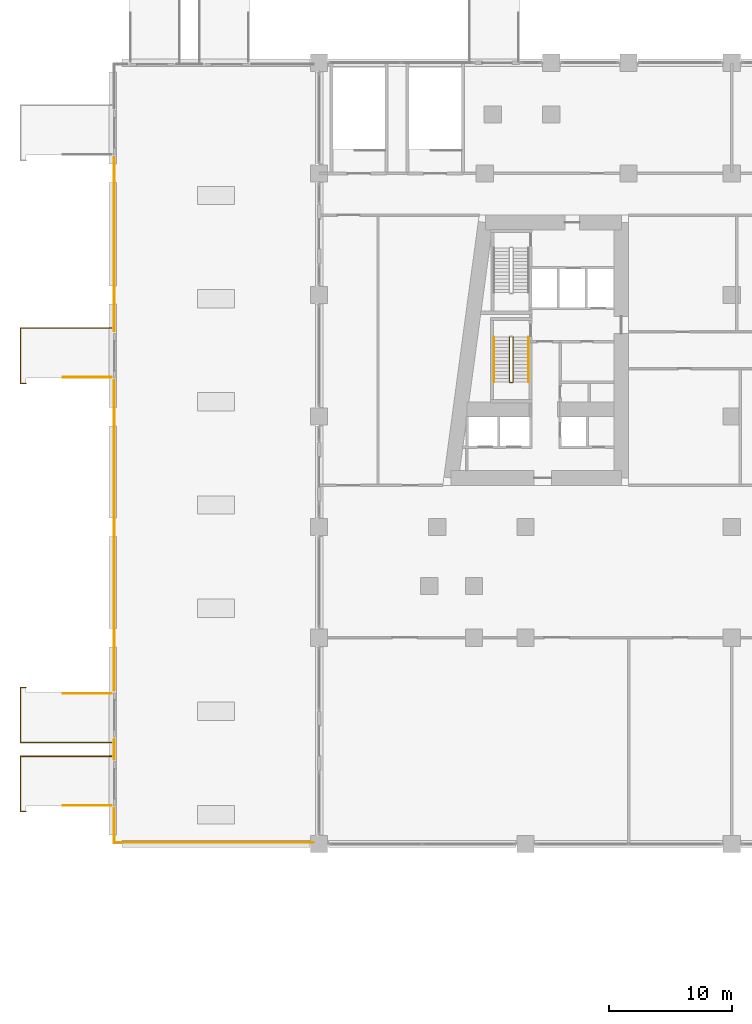
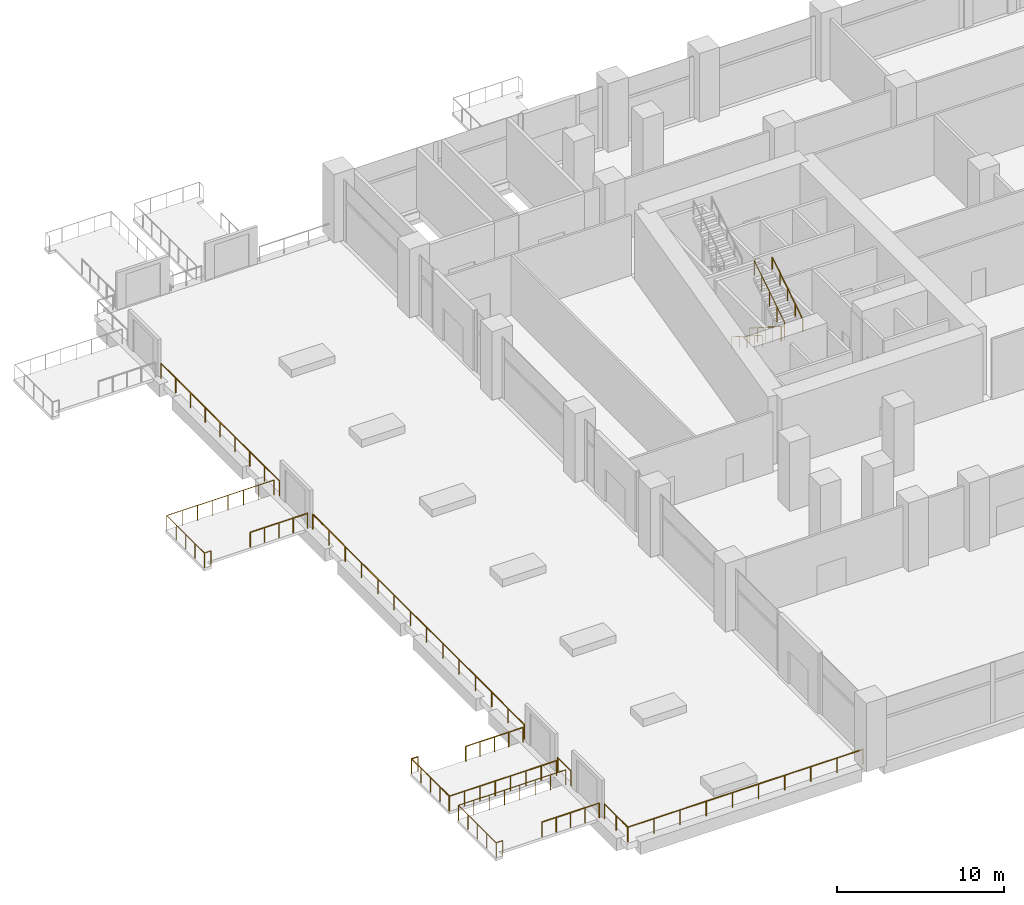
# One storey, part 27 of 33: 14 railings.
"""IFC4 building model written with IfcOpenShell, lengths in metres."""

from ifc_helpers import new_model, si_unit, direction, frame, origin, origin_2d, place, context, subcontext, project, spatial, circle, extrude, material, type_object, element, save


model = new_model("IFC4")

# Units and contexts
model_context = context("Model", 3, precision=1e-05, world=origin(), true_north=direction((0.0, 1.0)))
body_context = subcontext(model_context, "Body", "Model", "MODEL_VIEW")
ifc_project = project(units=[si_unit("LENGTHUNIT", "METRE"), si_unit("AREAUNIT", "SQUARE_METRE"), si_unit("VOLUMEUNIT", "CUBIC_METRE"), si_unit("PLANEANGLEUNIT", "RADIAN"), si_unit("MASSUNIT", "GRAM", prefix="KILO")], contexts=[model_context])

# Site, building, storey
site_placement = place(None, origin())
site = spatial("IfcSite", under=ifc_project, at=site_placement, CompositionType="ELEMENT")
building_placement = place(site_placement, origin())
building = spatial("IfcBuilding", under=site, at=building_placement, Name="Candeia Pilgrim Tower and Theatre", CompositionType="ELEMENT")
storey_placement = place(building_placement, frame((0.0, 0.0, 29.0)))
storey = spatial("IfcBuildingStorey", under=building, at=storey_placement, Name="L04", CompositionType="ELEMENT", Elevation=29.0)

# Railings
ifc_material_1 = material(Name="Stainless steel balustrade", Category="steel")
railing_type_1 = type_object("IfcRailingType", Name="G1 loggia guard 1100", PredefinedType="GUARDRAIL", material=ifc_material_1)
railing_1_placement = place(storey_placement, frame((58.919921875, 81.320068359375, 0.0)))
element("IfcRailing", 1, at=railing_1_placement, inside=storey, type_object=railing_type_1, Name="Terrace guard L04.1", PredefinedType="GUARDRAIL", context=body_context, shape_type="SweptSolid", body=[
    extrude(circle(Radius=0.02392578125, at=origin_2d()), frame((0.0, 0.0, 1.076171875), z_axis=(0.0, 1.0, 0.0), x_axis=(-1.0, 0.0, 0.0)), (0.0, 0.0, 1.0), 2.780029296875),
    extrude(circle(Radius=0.02099609375, at=origin_2d()), origin(), (0.0, 0.0, 1.0), 1.052001953125),
    extrude(circle(Radius=0.02099609375, at=origin_2d()), frame((0.0, 1.39013671875, 0.0)), (0.0, 0.0, 1.0), 1.052001953125),
    extrude(circle(Radius=0.02099609375, at=origin_2d()), frame((0.0, 2.780029296875, 0.0)), (0.0, 0.0, 1.0), 1.052001953125),
])
railing_2_placement = place(storey_placement, frame((58.919921875, 88.10009765625, 0.0)))
element("IfcRailing", 2, at=railing_2_placement, inside=storey, type_object=railing_type_1, Name="Terrace guard L04.2", PredefinedType="GUARDRAIL", context=body_context, shape_type="SweptSolid", body=[
    extrude(circle(Radius=0.02392578125, at=origin_2d()), frame((0.0, 0.0, 1.076171875), z_axis=(0.0, 1.0, 0.0), x_axis=(-1.0, 0.0, 0.0)), (0.0, 0.0, 1.0), 1.599853515625),
    extrude(circle(Radius=0.02099609375, at=origin_2d()), origin(), (0.0, 0.0, 1.0), 1.052001953125),
    extrude(circle(Radius=0.02099609375, at=origin_2d()), frame((0.0, 1.599853515625, 0.0)), (0.0, 0.0, 1.0), 1.052001953125),
])
railing_3_placement = place(storey_placement, frame((58.919921875, 93.699951171875, 0.0)))
element("IfcRailing", 3, at=railing_3_placement, inside=storey, type_object=railing_type_1, Name="Terrace guard L04.3", PredefinedType="GUARDRAIL", context=body_context, shape_type="SweptSolid", body=[
    extrude(circle(Radius=0.02392578125, at=origin_2d()), frame((0.0, 0.0, 1.076171875), z_axis=(0.0, 1.0, 0.0), x_axis=(-1.0, 0.0, 0.0)), (0.0, 0.0, 1.0), 25.25),
    extrude(circle(Radius=0.02099609375, at=origin_2d()), origin(), (0.0, 0.0, 1.0), 1.052001953125),
    extrude(circle(Radius=0.02099609375, at=origin_2d()), frame((0.0, 1.9423828125, 0.0)), (0.0, 0.0, 1.0), 1.052001953125),
    extrude(circle(Radius=0.02099609375, at=origin_2d()), frame((0.0, 3.884521484375, 0.0)), (0.0, 0.0, 1.0), 1.052001953125),
    extrude(circle(Radius=0.02099609375, at=origin_2d()), frame((0.0, 5.826904296875, 0.0)), (0.0, 0.0, 1.0), 1.052001953125),
    extrude(circle(Radius=0.02099609375, at=origin_2d()), frame((0.0, 7.769287109375, 0.0)), (0.0, 0.0, 1.0), 1.052001953125),
    extrude(circle(Radius=0.02099609375, at=origin_2d()), frame((0.0, 9.71142578125, 0.0)), (0.0, 0.0, 1.0), 1.052001953125),
    extrude(circle(Radius=0.02099609375, at=origin_2d()), frame((0.0, 11.65380859375, 0.0)), (0.0, 0.0, 1.0), 1.052001953125),
    extrude(circle(Radius=0.02099609375, at=origin_2d()), frame((0.0, 13.59619140625, 0.0)), (0.0, 0.0, 1.0), 1.052001953125),
    extrude(circle(Radius=0.02099609375, at=origin_2d()), frame((0.0, 15.53857421875, 0.0)), (0.0, 0.0, 1.0), 1.052001953125),
    extrude(circle(Radius=0.02099609375, at=origin_2d()), frame((0.0, 17.480712890625, 0.0)), (0.0, 0.0, 1.0), 1.052001953125),
    extrude(circle(Radius=0.02099609375, at=origin_2d()), frame((0.0, 19.423095703125, 0.0)), (0.0, 0.0, 1.0), 1.052001953125),
    extrude(circle(Radius=0.02099609375, at=origin_2d()), frame((0.0, 21.365478515625, 0.0)), (0.0, 0.0, 1.0), 1.052001953125),
    extrude(circle(Radius=0.02099609375, at=origin_2d()), frame((0.0, 23.3076171875, 0.0)), (0.0, 0.0, 1.0), 1.052001953125),
    extrude(circle(Radius=0.02099609375, at=origin_2d()), frame((0.0, 25.25, 0.0)), (0.0, 0.0, 1.0), 1.052001953125),
])
railing_4_placement = place(storey_placement, frame((58.919921875, 122.949951171875, 0.0)))
element("IfcRailing", 4, at=railing_4_placement, inside=storey, type_object=railing_type_1, Name="Terrace guard L04.4", PredefinedType="GUARDRAIL", context=body_context, shape_type="SweptSolid", body=[
    extrude(circle(Radius=0.02392578125, at=origin_2d()), frame((0.0, 0.0, 1.076171875), z_axis=(0.0, 1.0, 0.0), x_axis=(-1.0, 0.0, 0.0)), (0.0, 0.0, 1.0), 14.150146484375),
    extrude(circle(Radius=0.02099609375, at=origin_2d()), origin(), (0.0, 0.0, 1.0), 1.052001953125),
    extrude(circle(Radius=0.02099609375, at=origin_2d()), frame((0.0, 1.768798828125, 0.0)), (0.0, 0.0, 1.0), 1.052001953125),
    extrude(circle(Radius=0.02099609375, at=origin_2d()), frame((0.0, 3.53759765625, 0.0)), (0.0, 0.0, 1.0), 1.052001953125),
    extrude(circle(Radius=0.02099609375, at=origin_2d()), frame((0.0, 5.306396484375, 0.0)), (0.0, 0.0, 1.0), 1.052001953125),
    extrude(circle(Radius=0.02099609375, at=origin_2d()), frame((0.0, 7.0751953125, 0.0)), (0.0, 0.0, 1.0), 1.052001953125),
    extrude(circle(Radius=0.02099609375, at=origin_2d()), frame((0.0, 8.84375, 0.0)), (0.0, 0.0, 1.0), 1.052001953125),
    extrude(circle(Radius=0.02099609375, at=origin_2d()), frame((0.0, 10.612548828125, 0.0)), (0.0, 0.0, 1.0), 1.052001953125),
    extrude(circle(Radius=0.02099609375, at=origin_2d()), frame((0.0, 12.38134765625, 0.0)), (0.0, 0.0, 1.0), 1.052001953125),
    extrude(circle(Radius=0.02099609375, at=origin_2d()), frame((0.0, 14.150146484375, 0.0)), (0.0, 0.0, 1.0), 1.052001953125),
])
railing_5_placement = place(storey_placement, frame((75.14990234375, 81.320068359375, 0.0)))
element("IfcRailing", 5, at=railing_5_placement, inside=storey, type_object=railing_type_1, Name="Terrace guard L04.8", PredefinedType="GUARDRAIL", context=body_context, shape_type="SweptSolid", body=[
    extrude(circle(Radius=0.02392578125, at=origin_2d()), frame((0.0, 0.0, 1.076171875), z_axis=(-1.0, 0.0, 0.0), x_axis=(0.0, -1.0, 0.0)), (0.0, 0.0, 1.0), 16.22998046875),
    extrude(circle(Radius=0.02099609375, at=origin_2d()), origin(), (0.0, 0.0, 1.0), 1.052001953125),
    extrude(circle(Radius=0.02099609375, at=origin_2d()), frame((-1.80322265625, 0.0, 0.0)), (0.0, 0.0, 1.0), 1.052001953125),
    extrude(circle(Radius=0.02099609375, at=origin_2d()), frame((-3.606689453125, 0.0, 0.0)), (0.0, 0.0, 1.0), 1.052001953125),
    extrude(circle(Radius=0.02099609375, at=origin_2d()), frame((-5.409912109375, 0.0, 0.0)), (0.0, 0.0, 1.0), 1.052001953125),
    extrude(circle(Radius=0.02099609375, at=origin_2d()), frame((-7.21337890625, 0.0, 0.0)), (0.0, 0.0, 1.0), 1.052001953125),
    extrude(circle(Radius=0.02099609375, at=origin_2d()), frame((-9.0166015625, 0.0, 0.0)), (0.0, 0.0, 1.0), 1.052001953125),
    extrude(circle(Radius=0.02099609375, at=origin_2d()), frame((-10.820068359375, 0.0, 0.0)), (0.0, 0.0, 1.0), 1.052001953125),
    extrude(circle(Radius=0.02099609375, at=origin_2d()), frame((-12.623291015625, 0.0, 0.0)), (0.0, 0.0, 1.0), 1.052001953125),
    extrude(circle(Radius=0.02099609375, at=origin_2d()), frame((-14.4267578125, 0.0, 0.0)), (0.0, 0.0, 1.0), 1.052001953125),
    extrude(circle(Radius=0.02099609375, at=origin_2d()), frame((-16.22998046875, 0.0, 0.0)), (0.0, 0.0, 1.0), 1.052001953125),
])
railing_type_2 = type_object("IfcRailingType", Name="RL-GUARD-1100", PredefinedType="GUARDRAIL", material=ifc_material_1)
railing_6_placement = place(storey_placement, frame((91.10205078125, 122.47509765625, 0.178466796875)))
element("IfcRailing", 6, at=railing_6_placement, inside=storey, type_object=railing_type_2, Name="L04 ST1 stair guard 1", PredefinedType="GUARDRAIL", context=body_context, shape_type="SweptSolid", body=[
    extrude(circle(Radius=0.02392578125, at=origin_2d()), frame((0.0, 0.0, 1.076171875), z_axis=(0.0, -0.843127859045, 0.537713132908), x_axis=(1.0, 0.0, 0.0)), (0.0, 0.0, 1.0), 4.3173828125),
    extrude(circle(Radius=0.02392578125, at=origin_2d()), frame((0.0, -3.64013671875, 3.3974609375), z_axis=(0.707106781187, -0.707106781187, 0.0), x_axis=(0.707106781187, 0.707106781187, 0.0)), (0.0, 0.0, 1.0), 0.07080078125),
    extrude(circle(Radius=0.02392578125, at=origin_2d()), frame((0.050048828125, -3.690185546875, 3.3974609375), z_axis=(1.0, 0.0, 0.0), x_axis=(0.0, 1.0, 0.0)), (0.0, 0.0, 1.0), 0.199951171875),
    extrude(circle(Radius=0.02392578125, at=origin_2d()), frame((0.25, -3.690185546875, 3.3974609375), z_axis=(0.260684529273, 0.260684529273, 0.929562882432), x_axis=(-0.707106781187, 0.707106781187, 0.0)), (0.0, 0.0, 1.0), 0.19189453125),
    extrude(circle(Radius=0.02392578125, at=origin_2d()), frame((0.300048828125, -3.64013671875, 3.576171875), z_axis=(0.0, 0.843127859045, 0.537713132908), x_axis=(-1.0, 0.0, 0.0)), (0.0, 0.0, 1.0), 4.3173828125),
    extrude(circle(Radius=0.02099609375, at=origin_2d()), origin(), (0.0, 0.0, 1.0), 1.052001953125),
    extrude(circle(Radius=0.02099609375, at=origin_2d()), frame((0.0, -0.91015625, 0.580322265625)), (0.0, 0.0, 1.0), 1.052001953125),
    extrude(circle(Radius=0.02099609375, at=origin_2d()), frame((0.0, -1.820068359375, 1.16064453125)), (0.0, 0.0, 1.0), 1.052001953125),
    extrude(circle(Radius=0.02099609375, at=origin_2d()), frame((0.0, -2.72998046875, 1.7412109375)), (0.0, 0.0, 1.0), 1.052001953125),
    extrude(circle(Radius=0.02099609375, at=origin_2d()), frame((0.0, -3.64013671875, 2.321533203125)), (0.0, 0.0, 1.0), 1.052001953125),
    extrude(circle(Radius=0.02099609375, at=origin_2d()), frame((0.050048828125, -3.690185546875, 2.321533203125)), (0.0, 0.0, 1.0), 1.052001953125),
    extrude(circle(Radius=0.02099609375, at=origin_2d()), frame((0.25, -3.690185546875, 2.321533203125)), (0.0, 0.0, 1.0), 1.052001953125),
    extrude(circle(Radius=0.02099609375, at=origin_2d()), frame((0.300048828125, -3.64013671875, 2.5)), (0.0, 0.0, 1.0), 1.052001953125),
    extrude(circle(Radius=0.02099609375, at=origin_2d()), frame((0.300048828125, -2.72998046875, 3.080322265625)), (0.0, 0.0, 1.0), 1.052001953125),
    extrude(circle(Radius=0.02099609375, at=origin_2d()), frame((0.300048828125, -1.820068359375, 3.66064453125)), (0.0, 0.0, 1.0), 1.052001953125),
    extrude(circle(Radius=0.02099609375, at=origin_2d()), frame((0.300048828125, -0.91015625, 4.2412109375)), (0.0, 0.0, 1.0), 1.052001953125),
    extrude(circle(Radius=0.02099609375, at=origin_2d()), frame((0.300048828125, 0.0, 4.821533203125)), (0.0, 0.0, 1.0), 1.052001953125),
])
railing_7_placement = place(storey_placement, frame((58.699951171875, 88.35009765625, 0.0)))
element("IfcRailing", 7, at=railing_7_placement, inside=storey, type_object=railing_type_2, Name="L04 External escape stair ES11 landing guard", PredefinedType="GUARDRAIL", context=body_context, shape_type="SweptSolid", body=[
    extrude(circle(Radius=0.02392578125, at=origin_2d()), frame((0.0, 0.0, 1.076171875), z_axis=(-1.0, 0.0, 0.0), x_axis=(0.0, -1.0, 0.0)), (0.0, 0.0, 1.0), 7.39990234375),
    extrude(circle(Radius=0.02392578125, at=origin_2d()), frame((-7.39990234375, 0.0, 1.076171875), z_axis=(0.0, -1.0, 0.0), x_axis=(1.0, 0.0, 0.0)), (0.0, 0.0, 1.0), 4.5),
    extrude(circle(Radius=0.02392578125, at=origin_2d()), frame((-7.39990234375, -4.5, 1.076171875), z_axis=(1.0, 0.0, 0.0), x_axis=(0.0, 1.0, 0.0)), (0.0, 0.0, 1.0), 0.449951171875),
    extrude(circle(Radius=0.02099609375, at=origin_2d()), origin(), (0.0, 0.0, 1.0), 1.052001953125),
    extrude(circle(Radius=0.02099609375, at=origin_2d()), frame((-1.05712890625, 0.0, 0.0)), (0.0, 0.0, 1.0), 1.052001953125),
    extrude(circle(Radius=0.02099609375, at=origin_2d()), frame((-2.1142578125, 0.0, 0.0)), (0.0, 0.0, 1.0), 1.052001953125),
    extrude(circle(Radius=0.02099609375, at=origin_2d()), frame((-3.17138671875, 0.0, 0.0)), (0.0, 0.0, 1.0), 1.052001953125),
    extrude(circle(Radius=0.02099609375, at=origin_2d()), frame((-4.228515625, 0.0, 0.0)), (0.0, 0.0, 1.0), 1.052001953125),
    extrude(circle(Radius=0.02099609375, at=origin_2d()), frame((-5.28564453125, 0.0, 0.0)), (0.0, 0.0, 1.0), 1.052001953125),
    extrude(circle(Radius=0.02099609375, at=origin_2d()), frame((-6.3427734375, 0.0, 0.0)), (0.0, 0.0, 1.0), 1.052001953125),
    extrude(circle(Radius=0.02099609375, at=origin_2d()), frame((-7.39990234375, 0.0, 0.0)), (0.0, 0.0, 1.0), 1.052001953125),
    extrude(circle(Radius=0.02099609375, at=origin_2d()), frame((-7.39990234375, -1.125, 0.0)), (0.0, 0.0, 1.0), 1.052001953125),
    extrude(circle(Radius=0.02099609375, at=origin_2d()), frame((-7.39990234375, -2.25, 0.0)), (0.0, 0.0, 1.0), 1.052001953125),
    extrude(circle(Radius=0.02099609375, at=origin_2d()), frame((-7.39990234375, -3.375, 0.0)), (0.0, 0.0, 1.0), 1.052001953125),
    extrude(circle(Radius=0.02099609375, at=origin_2d()), frame((-7.39990234375, -4.5, 0.0)), (0.0, 0.0, 1.0), 1.052001953125),
    extrude(circle(Radius=0.02099609375, at=origin_2d()), frame((-6.949951171875, -4.5, 0.0)), (0.0, 0.0, 1.0), 1.052001953125),
])
railing_8_placement = place(storey_placement, frame((58.699951171875, 84.35009765625, 0.0)))
element("IfcRailing", 8, at=railing_8_placement, inside=storey, type_object=railing_type_2, Name="L04 External escape stair ES11 top guard", PredefinedType="GUARDRAIL", context=body_context, shape_type="SweptSolid", body=[
    extrude(circle(Radius=0.02392578125, at=origin_2d()), frame((0.0, 0.0, 1.076171875), z_axis=(-1.0, 0.0, 0.0), x_axis=(0.0, -1.0, 0.0)), (0.0, 0.0, 1.0), 3.949951171875),
    extrude(circle(Radius=0.02099609375, at=origin_2d()), origin(), (0.0, 0.0, 1.0), 1.052001953125),
    extrude(circle(Radius=0.02099609375, at=origin_2d()), frame((-0.987548828125, 0.0, 0.0)), (0.0, 0.0, 1.0), 1.052001953125),
    extrude(circle(Radius=0.02099609375, at=origin_2d()), frame((-1.97509765625, 0.0, 0.0)), (0.0, 0.0, 1.0), 1.052001953125),
    extrude(circle(Radius=0.02099609375, at=origin_2d()), frame((-2.96240234375, 0.0, 0.0)), (0.0, 0.0, 1.0), 1.052001953125),
    extrude(circle(Radius=0.02099609375, at=origin_2d()), frame((-3.949951171875, 0.0, 0.0)), (0.0, 0.0, 1.0), 1.052001953125),
])
railing_9_placement = place(storey_placement, frame((58.699951171875, 89.449951171875, 0.0)))
element("IfcRailing", 9, at=railing_9_placement, inside=storey, type_object=railing_type_2, Name="L04 External escape stair ES12 landing guard", PredefinedType="GUARDRAIL", context=body_context, shape_type="SweptSolid", body=[
    extrude(circle(Radius=0.02392578125, at=origin_2d()), frame((0.0, 0.0, 1.076171875), z_axis=(-1.0, 0.0, 0.0), x_axis=(0.0, -1.0, 0.0)), (0.0, 0.0, 1.0), 7.39990234375),
    extrude(circle(Radius=0.02392578125, at=origin_2d()), frame((-7.39990234375, 0.0, 1.076171875), z_axis=(0.0, 1.0, 0.0), x_axis=(-1.0, 0.0, 0.0)), (0.0, 0.0, 1.0), 4.5),
    extrude(circle(Radius=0.02392578125, at=origin_2d()), frame((-7.39990234375, 4.5, 1.076171875), z_axis=(1.0, 0.0, 0.0), x_axis=(0.0, 1.0, 0.0)), (0.0, 0.0, 1.0), 0.449951171875),
    extrude(circle(Radius=0.02099609375, at=origin_2d()), origin(), (0.0, 0.0, 1.0), 1.052001953125),
    extrude(circle(Radius=0.02099609375, at=origin_2d()), frame((-1.05712890625, 0.0, 0.0)), (0.0, 0.0, 1.0), 1.052001953125),
    extrude(circle(Radius=0.02099609375, at=origin_2d()), frame((-2.1142578125, 0.0, 0.0)), (0.0, 0.0, 1.0), 1.052001953125),
    extrude(circle(Radius=0.02099609375, at=origin_2d()), frame((-3.17138671875, 0.0, 0.0)), (0.0, 0.0, 1.0), 1.052001953125),
    extrude(circle(Radius=0.02099609375, at=origin_2d()), frame((-4.228515625, 0.0, 0.0)), (0.0, 0.0, 1.0), 1.052001953125),
    extrude(circle(Radius=0.02099609375, at=origin_2d()), frame((-5.28564453125, 0.0, 0.0)), (0.0, 0.0, 1.0), 1.052001953125),
    extrude(circle(Radius=0.02099609375, at=origin_2d()), frame((-6.3427734375, 0.0, 0.0)), (0.0, 0.0, 1.0), 1.052001953125),
    extrude(circle(Radius=0.02099609375, at=origin_2d()), frame((-7.39990234375, 0.0, 0.0)), (0.0, 0.0, 1.0), 1.052001953125),
    extrude(circle(Radius=0.02099609375, at=origin_2d()), frame((-7.39990234375, 1.125, 0.0)), (0.0, 0.0, 1.0), 1.052001953125),
    extrude(circle(Radius=0.02099609375, at=origin_2d()), frame((-7.39990234375, 2.25, 0.0)), (0.0, 0.0, 1.0), 1.052001953125),
    extrude(circle(Radius=0.02099609375, at=origin_2d()), frame((-7.39990234375, 3.375, 0.0)), (0.0, 0.0, 1.0), 1.052001953125),
    extrude(circle(Radius=0.02099609375, at=origin_2d()), frame((-7.39990234375, 4.5, 0.0)), (0.0, 0.0, 1.0), 1.052001953125),
    extrude(circle(Radius=0.02099609375, at=origin_2d()), frame((-6.949951171875, 4.5, 0.0)), (0.0, 0.0, 1.0), 1.052001953125),
])
railing_10_placement = place(storey_placement, frame((58.699951171875, 93.449951171875, 0.0)))
element("IfcRailing", 10, at=railing_10_placement, inside=storey, type_object=railing_type_2, Name="L04 External escape stair ES12 top guard", PredefinedType="GUARDRAIL", context=body_context, shape_type="SweptSolid", body=[
    extrude(circle(Radius=0.02392578125, at=origin_2d()), frame((0.0, 0.0, 1.076171875), z_axis=(-1.0, 0.0, 0.0), x_axis=(0.0, -1.0, 0.0)), (0.0, 0.0, 1.0), 3.949951171875),
    extrude(circle(Radius=0.02099609375, at=origin_2d()), origin(), (0.0, 0.0, 1.0), 1.052001953125),
    extrude(circle(Radius=0.02099609375, at=origin_2d()), frame((-0.987548828125, 0.0, 0.0)), (0.0, 0.0, 1.0), 1.052001953125),
    extrude(circle(Radius=0.02099609375, at=origin_2d()), frame((-1.97509765625, 0.0, 0.0)), (0.0, 0.0, 1.0), 1.052001953125),
    extrude(circle(Radius=0.02099609375, at=origin_2d()), frame((-2.96240234375, 0.0, 0.0)), (0.0, 0.0, 1.0), 1.052001953125),
    extrude(circle(Radius=0.02099609375, at=origin_2d()), frame((-3.949951171875, 0.0, 0.0)), (0.0, 0.0, 1.0), 1.052001953125),
])
railing_11_placement = place(storey_placement, frame((58.699951171875, 123.199951171875, 0.0)))
element("IfcRailing", 11, at=railing_11_placement, inside=storey, type_object=railing_type_2, Name="L04 External escape stair ES15 landing guard", PredefinedType="GUARDRAIL", context=body_context, shape_type="SweptSolid", body=[
    extrude(circle(Radius=0.02392578125, at=origin_2d()), frame((0.0, 0.0, 1.076171875), z_axis=(-1.0, 0.0, 0.0), x_axis=(0.0, -1.0, 0.0)), (0.0, 0.0, 1.0), 7.39990234375),
    extrude(circle(Radius=0.02392578125, at=origin_2d()), frame((-7.39990234375, 0.0, 1.076171875), z_axis=(0.0, -1.0, 0.0), x_axis=(1.0, 0.0, 0.0)), (0.0, 0.0, 1.0), 4.5),
    extrude(circle(Radius=0.02392578125, at=origin_2d()), frame((-7.39990234375, -4.5, 1.076171875), z_axis=(1.0, 0.0, 0.0), x_axis=(0.0, 1.0, 0.0)), (0.0, 0.0, 1.0), 0.449951171875),
    extrude(circle(Radius=0.02099609375, at=origin_2d()), origin(), (0.0, 0.0, 1.0), 1.052001953125),
    extrude(circle(Radius=0.02099609375, at=origin_2d()), frame((-1.05712890625, 0.0, 0.0)), (0.0, 0.0, 1.0), 1.052001953125),
    extrude(circle(Radius=0.02099609375, at=origin_2d()), frame((-2.1142578125, 0.0, 0.0)), (0.0, 0.0, 1.0), 1.052001953125),
    extrude(circle(Radius=0.02099609375, at=origin_2d()), frame((-3.17138671875, 0.0, 0.0)), (0.0, 0.0, 1.0), 1.052001953125),
    extrude(circle(Radius=0.02099609375, at=origin_2d()), frame((-4.228515625, 0.0, 0.0)), (0.0, 0.0, 1.0), 1.052001953125),
    extrude(circle(Radius=0.02099609375, at=origin_2d()), frame((-5.28564453125, 0.0, 0.0)), (0.0, 0.0, 1.0), 1.052001953125),
    extrude(circle(Radius=0.02099609375, at=origin_2d()), frame((-6.3427734375, 0.0, 0.0)), (0.0, 0.0, 1.0), 1.052001953125),
    extrude(circle(Radius=0.02099609375, at=origin_2d()), frame((-7.39990234375, 0.0, 0.0)), (0.0, 0.0, 1.0), 1.052001953125),
    extrude(circle(Radius=0.02099609375, at=origin_2d()), frame((-7.39990234375, -1.125, 0.0)), (0.0, 0.0, 1.0), 1.052001953125),
    extrude(circle(Radius=0.02099609375, at=origin_2d()), frame((-7.39990234375, -2.25, 0.0)), (0.0, 0.0, 1.0), 1.052001953125),
    extrude(circle(Radius=0.02099609375, at=origin_2d()), frame((-7.39990234375, -3.375, 0.0)), (0.0, 0.0, 1.0), 1.052001953125),
    extrude(circle(Radius=0.02099609375, at=origin_2d()), frame((-7.39990234375, -4.5, 0.0)), (0.0, 0.0, 1.0), 1.052001953125),
    extrude(circle(Radius=0.02099609375, at=origin_2d()), frame((-6.949951171875, -4.5, 0.0)), (0.0, 0.0, 1.0), 1.052001953125),
])
railing_12_placement = place(storey_placement, frame((58.699951171875, 119.199951171875, 0.0)))
element("IfcRailing", 12, at=railing_12_placement, inside=storey, type_object=railing_type_2, Name="L04 External escape stair ES15 top guard", PredefinedType="GUARDRAIL", context=body_context, shape_type="SweptSolid", body=[
    extrude(circle(Radius=0.02392578125, at=origin_2d()), frame((0.0, 0.0, 1.076171875), z_axis=(-1.0, 0.0, 0.0), x_axis=(0.0, -1.0, 0.0)), (0.0, 0.0, 1.0), 3.949951171875),
    extrude(circle(Radius=0.02099609375, at=origin_2d()), origin(), (0.0, 0.0, 1.0), 1.052001953125),
    extrude(circle(Radius=0.02099609375, at=origin_2d()), frame((-0.987548828125, 0.0, 0.0)), (0.0, 0.0, 1.0), 1.052001953125),
    extrude(circle(Radius=0.02099609375, at=origin_2d()), frame((-1.97509765625, 0.0, 0.0)), (0.0, 0.0, 1.0), 1.052001953125),
    extrude(circle(Radius=0.02099609375, at=origin_2d()), frame((-2.96240234375, 0.0, 0.0)), (0.0, 0.0, 1.0), 1.052001953125),
    extrude(circle(Radius=0.02099609375, at=origin_2d()), frame((-3.949951171875, 0.0, 0.0)), (0.0, 0.0, 1.0), 1.052001953125),
])
ifc_material_2 = material(Name="Stainless steel handrail", Category="steel")
railing_type_3 = type_object("IfcRailingType", Name="RL-HANDRAIL-900", PredefinedType="HANDRAIL", material=ifc_material_2)
railing_13_placement = place(storey_placement, frame((89.85205078125, 122.47509765625, 0.178466796875)))
element("IfcRailing", 13, at=railing_13_placement, inside=storey, type_object=railing_type_3, Name="L04 ST1 stair handrail 1", PredefinedType="HANDRAIL", context=body_context, shape_type="SweptSolid", body=[
    extrude(circle(Radius=0.02392578125, at=origin_2d()), frame((0.0, 0.0, 0.8759765625), z_axis=(0.0, -0.843127859045, 0.537713132908), x_axis=(1.0, 0.0, 0.0)), (0.0, 0.0, 1.0), 4.3173828125),
    extrude(circle(Radius=0.02099609375, at=origin_2d()), origin(), (0.0, 0.0, 1.0), 0.851806640625),
    extrude(circle(Radius=0.02099609375, at=origin_2d()), frame((0.0, -0.91015625, 0.580322265625)), (0.0, 0.0, 1.0), 0.851806640625),
    extrude(circle(Radius=0.02099609375, at=origin_2d()), frame((0.0, -1.820068359375, 1.16064453125)), (0.0, 0.0, 1.0), 0.851806640625),
    extrude(circle(Radius=0.02099609375, at=origin_2d()), frame((0.0, -2.72998046875, 1.7412109375)), (0.0, 0.0, 1.0), 0.851806640625),
    extrude(circle(Radius=0.02099609375, at=origin_2d()), frame((0.0, -3.64013671875, 2.321533203125)), (0.0, 0.0, 1.0), 0.851806640625),
])
railing_14_placement = place(storey_placement, frame((92.652099609375, 118.8349609375, 2.678466796875)))
element("IfcRailing", 14, at=railing_14_placement, inside=storey, type_object=railing_type_3, Name="L04 ST1 stair handrail 2", PredefinedType="HANDRAIL", context=body_context, shape_type="SweptSolid", body=[
    extrude(circle(Radius=0.02392578125, at=origin_2d()), frame((0.0, 0.0, 0.8759765625), z_axis=(0.0, 0.843127859045, 0.537713132908), x_axis=(-1.0, 0.0, 0.0)), (0.0, 0.0, 1.0), 4.3173828125),
    extrude(circle(Radius=0.02099609375, at=origin_2d()), origin(), (0.0, 0.0, 1.0), 0.851806640625),
    extrude(circle(Radius=0.02099609375, at=origin_2d()), frame((0.0, 0.91015625, 0.580322265625)), (0.0, 0.0, 1.0), 0.851806640625),
    extrude(circle(Radius=0.02099609375, at=origin_2d()), frame((0.0, 1.820068359375, 1.16064453125)), (0.0, 0.0, 1.0), 0.851806640625),
    extrude(circle(Radius=0.02099609375, at=origin_2d()), frame((0.0, 2.72998046875, 1.7412109375)), (0.0, 0.0, 1.0), 0.851806640625),
    extrude(circle(Radius=0.02099609375, at=origin_2d()), frame((0.0, 3.64013671875, 2.321533203125)), (0.0, 0.0, 1.0), 0.851806640625),
])

save(model, "model.ifc")
